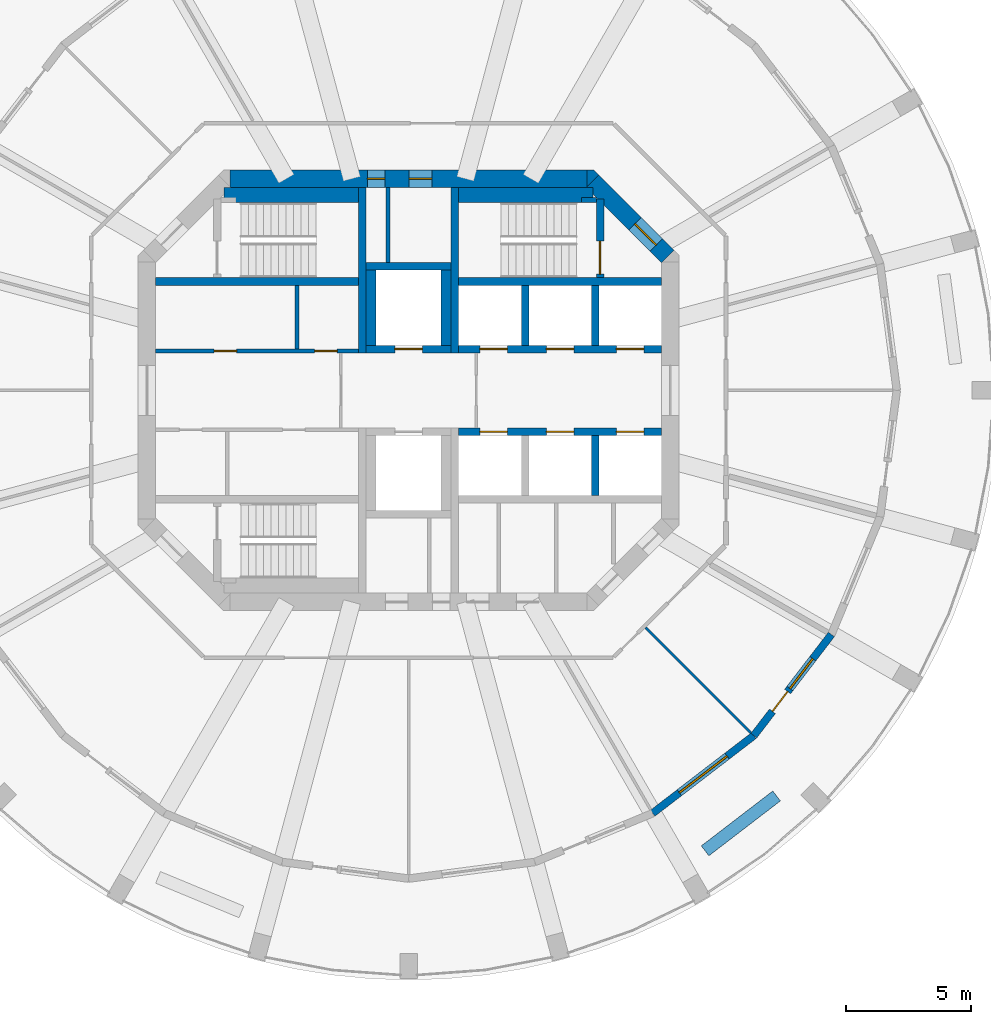
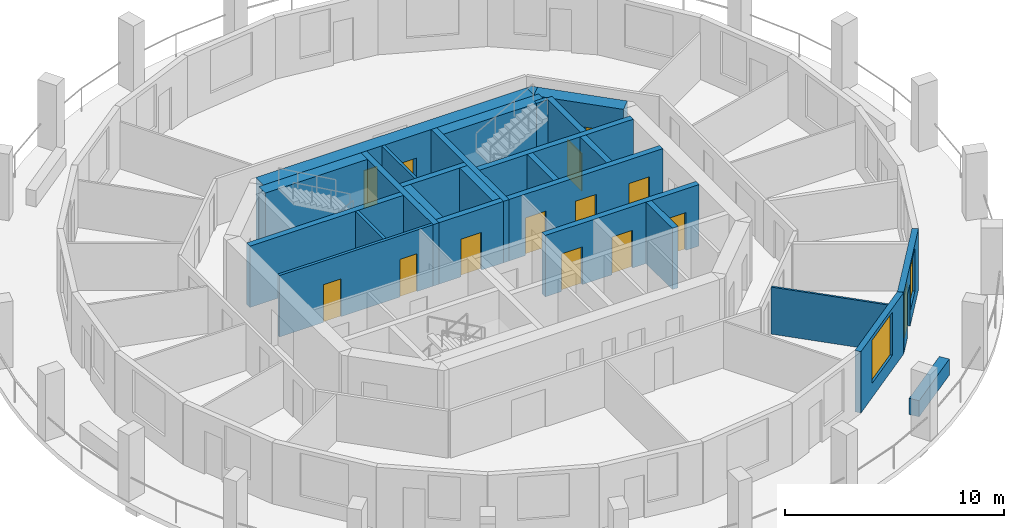
# One storey, part 4 of 8: 27 walls, 14 doors, 2 windows, 16 openings.
"""IFC4 building model written with IfcOpenShell, lengths in metres."""

import ifcopenshell
import ifcopenshell.guid

model = None  # the IFC model being written
_history = None  # IfcOwnerHistory: only IFC2X3 demands one
_inside = {}  # id of a spatial element -> (the spatial element, [elements in it])
_under = {}  # id of a project, library or spatial element -> (it, [spatial elements below it])
_declared = {}  # id of a project -> (the project, [libraries it declares])
_typed = {}  # id of a type object -> (the type object, [elements of that type])
_made_of = {}  # id of a material, layer set ... -> (it, [elements and type objects made of it])


def new_model(schema):
    """Start an empty IFC model of exactly this schema.

    Asked for "IFC4X3", IfcOpenShell would pick the latest addendum, in which some entities
    have other attributes; the version numbers below select the first issue.
    IFC2X3 requires an IfcOwnerHistory on every rooted entity: one is made here for all.
    """
    global model, _history
    if schema == "IFC4X3":
        model = ifcopenshell.file(schema_version=(4, 3, 0, 0))
    else:
        model = ifcopenshell.file(schema=schema)
    _inside.clear()
    _under.clear()
    _declared.clear()
    _typed.clear()
    _made_of.clear()
    _history = None
    if model.schema == "IFC2X3":
        org = make("IfcOrganization", Name="unknown")
        user = make(
            "IfcPersonAndOrganization",
            ThePerson=make("IfcPerson", FamilyName="unknown"),
            TheOrganization=org,
        )
        app = make(
            "IfcApplication",
            ApplicationDeveloper=org,
            Version="unknown",
            ApplicationFullName="unknown",
            ApplicationIdentifier="unknown",
        )
        _history = make(
            "IfcOwnerHistory",
            OwningUser=user,
            OwningApplication=app,
            ChangeAction="ADDED",
            CreationDate=0,
        )
    return model


def make(cls, **values):
    """One entity of the class cls with the attributes given. An attribute that is None is left unset."""
    return model.create_entity(
        cls, **{name: value for name, value in values.items() if value is not None}
    )


def rooted(cls, **values):
    """An entity with a GlobalId (a new one), such as an element, a storey or a relation."""
    return make(cls, GlobalId=ifcopenshell.guid.new(), OwnerHistory=_history, **values)


def si_unit(unit_type, name, prefix=None):
    """IfcSIUnit, for example si_unit("LENGTHUNIT", "METRE", prefix="MILLI")."""
    return make("IfcSIUnit", UnitType=unit_type, Prefix=prefix, Name=name)


def assignment(units):
    """IfcUnitAssignment: the units of a project."""
    return None if units is None else make("IfcUnitAssignment", Units=units)


def point(xyz):
    """IfcCartesianPoint."""
    return None if xyz is None else make("IfcCartesianPoint", Coordinates=xyz)


def direction(xyz):
    """IfcDirection."""
    return None if xyz is None else make("IfcDirection", DirectionRatios=xyz)


def frame(location, z_axis=None, x_axis=None):
    """IfcAxis2Placement3D, a coordinate frame: its origin and axes. An axis left out is left unset."""
    return make(
        "IfcAxis2Placement3D",
        Location=point(location),
        Axis=direction(z_axis),
        RefDirection=direction(x_axis),
    )


def frame_2d(location, x_axis=None):
    """IfcAxis2Placement2D, a coordinate frame in the plane: its origin and x axis."""
    return make(
        "IfcAxis2Placement2D", Location=point(location), RefDirection=direction(x_axis)
    )


def origin():
    """The frame at (0, 0, 0) with its axes left unset."""
    return frame((0.0, 0.0, 0.0))


def place(relative_to, where):
    """IfcLocalPlacement: puts the frame where relative to a parent placement (None: the world)."""
    return make(
        "IfcLocalPlacement", PlacementRelTo=relative_to, RelativePlacement=where
    )


def context(
    kind, dimensions, precision=None, world=None, true_north=None, identifier=None
):
    """IfcGeometricRepresentationContext, for example the 3D "Model" context."""
    return make(
        "IfcGeometricRepresentationContext",
        ContextIdentifier=identifier,
        ContextType=kind,
        CoordinateSpaceDimension=dimensions,
        Precision=precision,
        WorldCoordinateSystem=world,
        TrueNorth=true_north,
    )


def subcontext(parent, identifier, kind, view, scale=None):
    """IfcGeometricRepresentationSubContext, for example "Body" below "Model"."""
    return make(
        "IfcGeometricRepresentationSubContext",
        ContextIdentifier=identifier,
        ContextType=kind,
        ParentContext=parent,
        TargetScale=scale,
        TargetView=view,
    )


def project(units=None, contexts=None):
    """IfcProject with its units and contexts."""
    return rooted(
        "IfcProject",
        Name="project",
        RepresentationContexts=contexts,
        UnitsInContext=assignment(units),
    )


def spatial(cls, under=None, at=None, **own):
    """A site, building, storey or space (cls), placed at a placement, below another one or the project."""
    s = rooted(cls, ObjectPlacement=at, **own)
    if under is not None:
        _under.setdefault(under.id(), (under, []))[1].append(s)
    return s


def polyline(points):
    """IfcPolyline through the points."""
    return make("IfcPolyline", Points=[point(p) for p in points])


def profile(cls, at=None, kind="AREA", **sizes):
    """A parametric profile (cls). Its sizes go by their IFC names, for example OverallWidth=200.0."""
    return make(cls, ProfileType=kind, Position=at, **sizes)


def rectangle(**sizes):
    """IfcRectangleProfileDef."""
    return profile("IfcRectangleProfileDef", **sizes)


def outline(outer, holes=None, kind="AREA"):
    """IfcArbitraryClosedProfileDef: a profile drawn as a closed curve; with holes, ...WithVoids."""
    if holes is None:
        return make("IfcArbitraryClosedProfileDef", ProfileType=kind, OuterCurve=outer)
    return make(
        "IfcArbitraryProfileDefWithVoids",
        ProfileType=kind,
        OuterCurve=outer,
        InnerCurves=holes,
    )


def extrude(swept, where, along, depth):
    """IfcExtrudedAreaSolid: the profile swept, set in the frame where, extruded along a direction by depth."""
    return make(
        "IfcExtrudedAreaSolid",
        SweptArea=swept,
        Position=where,
        ExtrudedDirection=direction(along),
        Depth=depth,
    )


def shape(context_of_items, identifier, shape_type, items):
    """IfcShapeRepresentation: the items that make up one representation, for example the "Body"."""
    return make(
        "IfcShapeRepresentation",
        ContextOfItems=context_of_items,
        RepresentationIdentifier=identifier,
        RepresentationType=shape_type,
        Items=items,
    )


def material(Name=None, Category=None):
    """IfcMaterial."""
    return make("IfcMaterial", Name=Name, Category=Category)


def layer(
    of_material, thickness, ventilated=None, Name=None, Category=None, Priority=None
):
    """IfcMaterialLayer: one layer of a wall or slab, of a material (None: an air gap)."""
    return make(
        "IfcMaterialLayer",
        Material=of_material,
        LayerThickness=thickness,
        IsVentilated=ventilated,
        Name=Name,
        Category=Category,
        Priority=Priority,
    )


def layer_set(layers, Name=None):
    """IfcMaterialLayerSet."""
    return make("IfcMaterialLayerSet", MaterialLayers=layers, LayerSetName=Name)


def made_of(thing, what):
    """Note that an element or type object is made of a material, layer set ...; save() writes the relation."""
    if what is not None:
        _made_of.setdefault(what.id(), (what, []))[1].append(thing)
    return thing


def type_object(cls, material=None, **own):
    """A type object (cls), such as IfcWallType, which elements share."""
    return made_of(rooted(cls, **own), material)


def element(
    cls,
    number,
    at=None,
    inside=None,
    cuts=None,
    type_object=None,
    material=None,
    context=None,
    identifier="Body",
    shape_type=None,
    held_by="IfcProductDefinitionShape",
    body=None,
    shapes=None,
    **own,
):
    """One element of the class cls, such as IfcWall. Its Tag is "e" and its number.

    at: its placement. inside: the storey or other place that contains it. cuts: it is an
    opening in that element (IfcRelVoidsElement). A single representation is given by context,
    identifier, shape_type and body (its items); several are given by shapes. held_by: the class
    of the entity that holds the representations. save() writes the other relations.
    """
    e = rooted(cls, Tag="e%d" % number, ObjectPlacement=at, **own)
    if body is not None:
        shapes = [shape(context, identifier, shape_type, body)]
    if shapes is not None:
        e.Representation = make(held_by, Representations=shapes)
    if inside is not None:
        _inside.setdefault(inside.id(), (inside, []))[1].append(e)
    if cuts is not None:
        rooted(
            "IfcRelVoidsElement", RelatingBuildingElement=cuts, RelatedOpeningElement=e
        )
    if type_object is not None:
        _typed.setdefault(type_object.id(), (type_object, []))[1].append(e)
    return made_of(e, material)


def fill(opening, filler):
    """IfcRelFillsElement: the door or window that sits in an opening."""
    return rooted(
        "IfcRelFillsElement",
        RelatingOpeningElement=opening,
        RelatedBuildingElement=filler,
    )


def aggregate(whole, parts):
    """IfcRelAggregates: a whole, such as a stair, and the parts it consists of."""
    return rooted("IfcRelAggregates", RelatingObject=whole, RelatedObjects=parts)


def save(model, path):
    """Write the relations noted so far, then the file.

    IfcRelAggregates (storeys below a building ...), IfcRelContainedInSpatialStructure (elements
    in a storey), IfcRelDefinesByType, IfcRelAssociatesMaterial and IfcRelDeclares: one each for
    every whole, place, type object, material and project.
    """
    for whole, parts in _under.values():
        aggregate(whole, parts)
    for where, things in _inside.values():
        rooted(
            "IfcRelContainedInSpatialStructure",
            RelatedElements=things,
            RelatingStructure=where,
        )
    for kind, things in _typed.values():
        rooted("IfcRelDefinesByType", RelatedObjects=things, RelatingType=kind)
    for what, things in _made_of.values():
        rooted("IfcRelAssociatesMaterial", RelatedObjects=things, RelatingMaterial=what)
    for by, libraries in _declared.values():
        rooted("IfcRelDeclares", RelatingContext=by, RelatedDefinitions=libraries)
    model.write(path)


model = new_model("IFC4")

# Units and contexts
model_context = context("Model", 3, precision=1e-05, world=origin(), true_north=direction((0.0, 1.0)))
body_context = subcontext(model_context, "Body", "Model", "MODEL_VIEW")
ifc_project = project(units=[si_unit("LENGTHUNIT", "METRE"), si_unit("AREAUNIT", "SQUARE_METRE"), si_unit("VOLUMEUNIT", "CUBIC_METRE"), si_unit("PLANEANGLEUNIT", "RADIAN"), si_unit("MASSUNIT", "GRAM", prefix="KILO")], contexts=[model_context])

# Site, building, storey
site_placement = place(None, origin())
site = spatial("IfcSite", under=ifc_project, at=site_placement, CompositionType="ELEMENT")
building_placement = place(site_placement, origin())
building = spatial("IfcBuilding", under=site, at=building_placement, Name="Torre Triforio", CompositionType="ELEMENT")
storey_placement = place(building_placement, frame((0.0, 0.0, 192.800048828125)))
storey = spatial("IfcBuildingStorey", under=building, at=storey_placement, Name="L43", CompositionType="ELEMENT", Elevation=192.800048828125)

# Walls
ifc_material_1 = material(Name="Concrete C50", Category="concrete")
ifc_layer_1 = layer(ifc_material_1, 0.300048828125)
ifc_layer_set_1 = layer_set([ifc_layer_1], Name="Concrete C50")
wall_type_1 = type_object("IfcWallType", Name="Core wall 300 mm C50 EI 120", PredefinedType="SHEAR", material=ifc_layer_set_1)
for number, where, z_axis, x_axis, name in (
    (1, (-1.85009765625, 1.5, 0.0), (0.0, 0.0, 1.0), (0.0, 1.0, 0.0), "Core wall"),
    (2, (1.85009765625, 1.5, 0.0), (0.0, 0.0, 1.0), (0.0, 1.0, 0.0), "Core wall"),
):
    element("IfcWall", number, at=place(storey_placement, frame(where, z_axis=z_axis, x_axis=x_axis)), inside=storey, type_object=wall_type_1, Name=name, PredefinedType="SHEAR", context=body_context, shape_type="SweptSolid", body=[
        extrude(rectangle(XDim=6.60009765625, YDim=0.300048828125, at=frame_2d((3.300048828125, 0.0))), origin(), (0.0, 0.0, 1.0), 3.419921875),
    ])

# Wall, openings, doors
ifc_layer_2 = layer(ifc_material_1, 0.699951171875)
ifc_layer_set_2 = layer_set([ifc_layer_2], Name="Concrete C50")
wall_type_2 = type_object("IfcWallType", Name="Core wall 700 mm C50 EI 120", PredefinedType="SHEAR", material=ifc_layer_set_2)
wall_1_placement = place(storey_placement, frame((-7.1298828125, 8.449951171875, -0.280029296875), z_axis=(0.0, 0.0, 1.0), x_axis=(1.0, 0.0, 0.0)))
wall_1 = element("IfcWall", 3, at=wall_1_placement, inside=storey, type_object=wall_type_2, Name="Core wall", PredefinedType="SHEAR", context=body_context, shape_type="SweptSolid", body=[
    extrude(rectangle(XDim=14.259765625, YDim=0.699951171875, at=frame_2d((7.1298828125, 0.0))), origin(), (0.0, 0.0, 1.0), 3.699951171875),
])
opening_1_placement = place(wall_1_placement, frame((5.47998046875, 0.0, 0.280029296875)))
opening_1 = element("IfcOpeningElement", 4, at=opening_1_placement, cuts=wall_1, Name="Opening RISER-N", PredefinedType="OPENING", context=body_context, shape_type="SweptSolid", body=[
    extrude(rectangle(XDim=0.699951171875, YDim=2.10009765625, at=frame_2d((0.35009765625, 1.050048828125))), frame((0.0, 0.35986328125, 0.0), z_axis=(0.0, -1.0, 0.0), x_axis=(1.0, 0.0, 0.0)), (0.0, 0.0, 1.0), 0.719970703125),
])
opening_2_placement = place(wall_1_placement, frame((7.155029296875, 0.0, 0.280029296875)))
opening_2 = element("IfcOpeningElement", 5, at=opening_2_placement, cuts=wall_1, Name="Opening NE-01", PredefinedType="OPENING", context=body_context, shape_type="SweptSolid", body=[
    extrude(rectangle(XDim=0.89990234375, YDim=2.10009765625, at=frame_2d((0.449951171875, 1.050048828125))), frame((0.0, 0.35986328125, 0.0), z_axis=(0.0, -1.0, 0.0), x_axis=(1.0, 0.0, 0.0)), (0.0, 0.0, 1.0), 0.719970703125),
])
ifc_material_2 = material(Name="Hollow metal fire door leaf")
door_type_1 = type_object("IfcDoorType", Name="Riser door 700 x 2100 EI 60", OperationType="NOTDEFINED", PredefinedType="DOOR", material=ifc_material_2)
door_1_placement = place(opening_1_placement, origin())
door_1 = element("IfcDoor", 6, at=door_1_placement, inside=storey, type_object=door_type_1, Name="Core door RISER-N", OperationType="SINGLE_SWING_LEFT", OverallHeight=2.10009765625, OverallWidth=0.699951171875, PredefinedType="DOOR", context=body_context, shape_type="SweptSolid", body=[
    extrude(rectangle(XDim=0.699951171875, YDim=2.10009765625, at=frame_2d((0.35009765625, 1.050048828125))), frame((0.0, 0.02490234375, 0.0), z_axis=(0.0, -1.0, 0.0), x_axis=(1.0, 0.0, 0.0)), (0.0, 0.0, 1.0), 0.050048828125),
])
fill(opening_1, door_1)
door_type_2 = type_object("IfcDoorType", Name="Room door 900 x 2100 EI 60", OperationType="NOTDEFINED", PredefinedType="DOOR", material=ifc_material_2)
door_2_placement = place(opening_2_placement, origin())
door_2 = element("IfcDoor", 7, at=door_2_placement, inside=storey, type_object=door_type_2, Name="Core door NE-01", OperationType="SINGLE_SWING_RIGHT", OverallHeight=2.10009765625, OverallWidth=0.89990234375, PredefinedType="DOOR", context=body_context, shape_type="SweptSolid", body=[
    extrude(rectangle(XDim=0.89990234375, YDim=2.10009765625, at=frame_2d((0.449951171875, 1.050048828125))), frame((0.0, 0.02490234375, 0.0), z_axis=(0.0, -1.0, 0.0), x_axis=(1.0, 0.0, 0.0)), (0.0, 0.0, 1.0), 0.050048828125),
])
fill(opening_2, door_2)

# Wall, opening, door
wall_2_placement = place(storey_placement, frame((7.347412109375, 8.347412109375, -0.280029296875), z_axis=(0.0, 0.0, 1.0), x_axis=(0.707106781187, -0.707106781187, 0.0)))
wall_2 = element("IfcWall", 8, at=wall_2_placement, inside=storey, type_object=wall_type_2, Name="Core wall", PredefinedType="SHEAR", context=body_context, shape_type="SweptSolid", body=[
    extrude(rectangle(XDim=4.24267578125, YDim=0.699951171875, at=frame_2d((2.121337890625, 0.0))), origin(), (0.0, 0.0, 1.0), 3.699951171875),
])
opening_3_placement = place(wall_2_placement, frame((2.392578125, 0.0, 0.280029296875)))
opening_3 = element("IfcOpeningElement", 9, at=opening_3_placement, cuts=wall_2, Name="Opening ST2-EXIT", PredefinedType="OPENING", context=body_context, shape_type="SweptSolid", body=[
    extrude(rectangle(XDim=1.199951171875, YDim=2.10009765625, at=frame_2d((0.60009765625, 1.050048828125))), frame((0.0, 0.35986328125, 0.0), z_axis=(0.0, -1.0, 0.0), x_axis=(1.0, 0.0, 0.0)), (0.0, 0.0, 1.0), 0.719970703125),
])
door_type_3 = type_object("IfcDoorType", Name="Stair lobby door 1200 x 2100 EI 60", OperationType="NOTDEFINED", PredefinedType="DOOR", material=ifc_material_2)
door_3_placement = place(opening_3_placement, origin())
door_3 = element("IfcDoor", 10, at=door_3_placement, inside=storey, type_object=door_type_3, Name="Core door ST2-EXIT", OperationType="SINGLE_SWING_RIGHT", OverallHeight=2.10009765625, OverallWidth=1.199951171875, PredefinedType="DOOR", context=body_context, shape_type="SweptSolid", body=[
    extrude(rectangle(XDim=1.199951171875, YDim=2.10009765625, at=frame_2d((0.60009765625, 1.050048828125))), frame((0.0, 0.02490234375, 0.0), z_axis=(0.0, -1.0, 0.0), x_axis=(1.0, 0.0, 0.0)), (0.0, 0.0, 1.0), 0.050048828125),
])
fill(opening_3, door_3)

# Walls
wall_3_placement = place(storey_placement, frame((0.0, 0.0, -0.280029296875)))
element("IfcWall", 11, at=wall_3_placement, inside=storey, type_object=wall_type_2, Name="Core wall", PredefinedType="SHEAR", context=body_context, shape_type="SweptSolid", body=[
    extrude(outline(polyline([(7.389892578125, 8.800048828125), (7.594970703125, 8.594970703125), (7.594970703125, 8.594970703125), (7.594970703125, 8.594970703125), (7.1298828125, 8.1298828125), (7.1298828125, 8.800048828125), (7.1298828125, 8.800048828125), (7.389892578125, 8.800048828125)])), origin(), (0.0, 0.0, 1.0), 3.699951171875),
])
ifc_material_3 = material(Name="Plasterboard on metal studs")
ifc_layer_3 = layer(ifc_material_3, 0.10009765625)
ifc_layer_set_3 = layer_set([ifc_layer_3], Name="Plasterboard on metal studs")
wall_type_3 = type_object("IfcWallType", Name="Partition 100 mm board on metal studs", PredefinedType="PARTITIONING", material=ifc_layer_set_3)
wall_4_placement = place(storey_placement, frame((9.473876953125, -9.473876953125, 0.0), z_axis=(0.0, 0.0, 1.0), x_axis=(0.707106781187, -0.707106781187, 0.0)))
element("IfcWall", 12, at=wall_4_placement, inside=storey, type_object=wall_type_3, Name="Partition 23", PredefinedType="PARTITIONING", context=body_context, shape_type="SweptSolid", body=[
    extrude(rectangle(XDim=5.9384765625, YDim=0.10009765625, at=frame_2d((2.96923828125, 0.0))), origin(), (0.0, 0.0, 1.0), 2.619873046875),
])
ifc_material_4 = material(Name="Block and board partition")
ifc_layer_4 = layer(ifc_material_4, 0.14990234375)
ifc_layer_set_4 = layer_set([ifc_layer_4], Name="Block and board partition")
wall_type_4 = type_object("IfcWallType", Name="Partition 150 mm", PredefinedType="PARTITIONING", material=ifc_layer_set_4)
wall_5_placement = place(storey_placement, frame((-4.4599609375, 1.64990234375, 0.0), z_axis=(0.0, 0.0, 1.0), x_axis=(0.0, 1.0, 0.0)))
element("IfcWall", 13, at=wall_5_placement, inside=storey, type_object=wall_type_4, Name="Partition", PredefinedType="PARTITIONING", context=body_context, shape_type="SweptSolid", body=[
    extrude(rectangle(XDim=2.550048828125, YDim=0.14990234375, at=frame_2d((1.27490234375, 0.0))), origin(), (0.0, 0.0, 1.0), 3.419921875),
])
ifc_layer_5 = layer(ifc_material_4, 0.14990234375)
ifc_layer_set_5 = layer_set([ifc_layer_5], Name="Block and board partition")
wall_type_5 = type_object("IfcWallType", Name="Partition 150 mm EI 120", PredefinedType="PARTITIONING", material=ifc_layer_set_5)
wall_6_placement = place(storey_placement, frame((-0.824951171875, 5.10009765625, 0.0), z_axis=(0.0, 0.0, 1.0), x_axis=(0.0, 1.0, 0.0)))
element("IfcWall", 14, at=wall_6_placement, inside=storey, type_object=wall_type_5, Name="Partition", PredefinedType="PARTITIONING", context=body_context, shape_type="SweptSolid", body=[
    extrude(rectangle(XDim=3.0, YDim=0.14990234375, at=frame_2d((1.5, 0.0))), origin(), (0.0, 0.0, 1.0), 3.419921875),
])

# Wall, openings, doors
wall_7_placement = place(storey_placement, frame((-10.10009765625, 1.574951171875, 0.0), z_axis=(0.0, 0.0, 1.0), x_axis=(1.0, 0.0, 0.0)))
wall_7 = element("IfcWall", 15, at=wall_7_placement, inside=storey, type_object=wall_type_5, Name="Partition", PredefinedType="PARTITIONING", context=body_context, shape_type="SweptSolid", body=[
    extrude(rectangle(XDim=8.10009765625, YDim=0.14990234375, at=frame_2d((4.050048828125, 0.0))), origin(), (0.0, 0.0, 1.0), 3.419921875),
])
opening_4_placement = place(wall_7_placement, frame((2.33251953125, 0.0, 0.0)))
opening_4 = element("IfcOpeningElement", 16, at=opening_4_placement, cuts=wall_7, Name="Opening FN-01", PredefinedType="OPENING", context=body_context, shape_type="SweptSolid", body=[
    extrude(rectangle(XDim=0.89990234375, YDim=2.10009765625, at=frame_2d((0.449951171875, 1.050048828125))), frame((0.0, 0.0849609375, 0.0), z_axis=(0.0, -1.0, 0.0), x_axis=(1.0, 0.0, 0.0)), (0.0, 0.0, 1.0), 0.169921875),
])
opening_5_placement = place(wall_7_placement, frame((6.35009765625, 0.0, 0.0)))
opening_5 = element("IfcOpeningElement", 17, at=opening_5_placement, cuts=wall_7, Name="Opening FN-02A", PredefinedType="OPENING", context=body_context, shape_type="SweptSolid", body=[
    extrude(rectangle(XDim=0.89990234375, YDim=2.10009765625, at=frame_2d((0.449951171875, 1.050048828125))), frame((0.0, 0.0849609375, 0.0), z_axis=(0.0, -1.0, 0.0), x_axis=(1.0, 0.0, 0.0)), (0.0, 0.0, 1.0), 0.169921875),
])
door_type_4 = type_object("IfcDoorType", Name="Plant room door 900 x 2100 EI 60", OperationType="NOTDEFINED", PredefinedType="DOOR", material=ifc_material_2)
door_4_placement = place(opening_5_placement, origin())
door_4 = element("IfcDoor", 18, at=door_4_placement, inside=storey, type_object=door_type_4, Name="Core door FN-02", OperationType="SINGLE_SWING_RIGHT", OverallHeight=2.10009765625, OverallWidth=0.89990234375, PredefinedType="DOOR", context=body_context, shape_type="SweptSolid", body=[
    extrude(rectangle(XDim=0.89990234375, YDim=2.10009765625, at=frame_2d((0.449951171875, 1.050048828125))), frame((0.0, 0.02490234375, 0.0), z_axis=(0.0, -1.0, 0.0), x_axis=(1.0, 0.0, 0.0)), (0.0, 0.0, 1.0), 0.050048828125),
])
fill(opening_5, door_4)
door_5_placement = place(opening_4_placement, origin())
door_5 = element("IfcDoor", 19, at=door_5_placement, inside=storey, type_object=door_type_2, Name="Core door FN-01", OperationType="SINGLE_SWING_RIGHT", OverallHeight=2.10009765625, OverallWidth=0.89990234375, PredefinedType="DOOR", context=body_context, shape_type="SweptSolid", body=[
    extrude(rectangle(XDim=0.89990234375, YDim=2.10009765625, at=frame_2d((0.449951171875, 1.050048828125))), frame((0.0, 0.02490234375, 0.0), z_axis=(0.0, -1.0, 0.0), x_axis=(1.0, 0.0, 0.0)), (0.0, 0.0, 1.0), 0.050048828125),
])
fill(opening_4, door_5)

# Walls
ifc_material_5 = material(Name="Limestone cladding", Category="masonry")
ifc_layer_6 = layer(ifc_material_5, 0.10009765625)
ifc_material_6 = material(Name="Concrete C40", Category="concrete")
ifc_layer_7 = layer(ifc_material_6, 0.39990234375)
ifc_layer_set_6 = layer_set([ifc_layer_6, ifc_layer_7], Name="Limestone cladding / Concrete C40")
wall_type_6 = type_object("IfcWallType", Name="Planter wall 500", PredefinedType="PARAPET", material=ifc_layer_set_6)
wall_8_placement = place(storey_placement, frame((11.843017578125, -18.390869140625, 0.0), z_axis=(0.0, 0.0, 1.0), x_axis=(0.793326845617, 0.608795955984, 0.0)))
element("IfcWall", 20, at=wall_8_placement, inside=storey, type_object=wall_type_6, Name="Planter L43 bay 21", PredefinedType="PARAPET", context=body_context, shape_type="SweptSolid", body=[
    extrude(rectangle(XDim=3.599853515625, YDim=0.5, at=frame_2d((1.7998046875, 0.0))), origin(), (0.0, 0.0, 1.0), 0.89990234375),
])
ifc_layer_8 = layer(ifc_material_1, 0.300048828125)
ifc_layer_set_7 = layer_set([ifc_layer_8], Name="Concrete C50")
wall_type_7 = type_object("IfcWallType", Name="Shaft wall 300 mm C50 EI 120", PredefinedType="SOLIDWALL", material=ifc_layer_set_7)
for number, where, z_axis, x_axis, name in (
    (21, (-10.10009765625, 4.35009765625, 0.0), (0.0, 0.0, 1.0), (1.0, 0.0, 0.0), "Shaft wall"),
    (22, (2.0, 4.35009765625, 0.0), (0.0, 0.0, 1.0), (1.0, 0.0, 0.0), "Shaft wall"),
):
    element("IfcWall", number, at=place(storey_placement, frame(where, z_axis=z_axis, x_axis=x_axis)), inside=storey, type_object=wall_type_7, Name=name, PredefinedType="SOLIDWALL", context=body_context, shape_type="SweptSolid", body=[
        extrude(rectangle(XDim=8.10009765625, YDim=0.300048828125, at=frame_2d((4.050048828125, 0.0))), origin(), (0.0, 0.0, 1.0), 3.419921875),
    ])

# Wall, openings, doors
wall_9_placement = place(storey_placement, frame((2.0, 1.64990234375, 0.0), z_axis=(0.0, 0.0, 1.0), x_axis=(1.0, 0.0, 0.0)))
wall_9 = element("IfcWall", 23, at=wall_9_placement, inside=storey, type_object=wall_type_7, Name="Shaft wall", PredefinedType="SOLIDWALL", context=body_context, shape_type="SweptSolid", body=[
    extrude(rectangle(XDim=8.10009765625, YDim=0.300048828125, at=frame_2d((4.050048828125, 0.0))), origin(), (0.0, 0.0, 1.0), 3.419921875),
])
opening_6_placement = place(wall_9_placement, frame((0.85009765625, 0.0, 0.0)))
opening_6 = element("IfcOpeningElement", 24, at=opening_6_placement, cuts=wall_9, Name="Opening LD", PredefinedType="OPENING", context=body_context, shape_type="SweptSolid", body=[
    extrude(rectangle(XDim=1.10009765625, YDim=2.10009765625, at=frame_2d((0.550048828125, 1.050048828125))), frame((0.0, 0.159912109375, 0.0), z_axis=(0.0, -1.0, 0.0), x_axis=(1.0, 0.0, 0.0)), (0.0, 0.0, 1.0), 0.320068359375),
])
opening_7_placement = place(wall_9_placement, frame((3.5, 0.0, 0.0)))
opening_7 = element("IfcOpeningElement", 25, at=opening_7_placement, cuts=wall_9, Name="Opening LD", PredefinedType="OPENING", context=body_context, shape_type="SweptSolid", body=[
    extrude(rectangle(XDim=1.10009765625, YDim=2.10009765625, at=frame_2d((0.550048828125, 1.050048828125))), frame((0.0, 0.159912109375, 0.0), z_axis=(0.0, -1.0, 0.0), x_axis=(1.0, 0.0, 0.0)), (0.0, 0.0, 1.0), 0.320068359375),
])
opening_8_placement = place(wall_9_placement, frame((6.300048828125, 0.0, 0.0)))
opening_8 = element("IfcOpeningElement", 26, at=opening_8_placement, cuts=wall_9, Name="Opening LD", PredefinedType="OPENING", context=body_context, shape_type="SweptSolid", body=[
    extrude(rectangle(XDim=1.10009765625, YDim=2.10009765625, at=frame_2d((0.550048828125, 1.050048828125))), frame((0.0, 0.159912109375, 0.0), z_axis=(0.0, -1.0, 0.0), x_axis=(1.0, 0.0, 0.0)), (0.0, 0.0, 1.0), 0.320068359375),
])
door_type_5 = type_object("IfcDoorType", Name="Landing door 1100 x 2100 EI 60", OperationType="DOUBLE_DOOR_SLIDING", PredefinedType="DOOR", material=ifc_material_2)
door_6_placement = place(opening_6_placement, origin())
door_6 = element("IfcDoor", 27, at=door_6_placement, inside=storey, type_object=door_type_5, Name="Landing door HR1", OperationType="DOUBLE_DOOR_SLIDING", OverallHeight=2.10009765625, OverallWidth=1.10009765625, PredefinedType="DOOR", context=body_context, shape_type="SweptSolid", body=[
    extrude(rectangle(XDim=1.10009765625, YDim=2.10009765625, at=frame_2d((0.550048828125, 1.050048828125))), frame((0.0, 0.02490234375, 0.0), z_axis=(0.0, -1.0, 0.0), x_axis=(1.0, 0.0, 0.0)), (0.0, 0.0, 1.0), 0.050048828125),
])
fill(opening_6, door_6)
door_7_placement = place(opening_7_placement, origin())
door_7 = element("IfcDoor", 28, at=door_7_placement, inside=storey, type_object=door_type_5, Name="Landing door HR2", OperationType="DOUBLE_DOOR_SLIDING", OverallHeight=2.10009765625, OverallWidth=1.10009765625, PredefinedType="DOOR", context=body_context, shape_type="SweptSolid", body=[
    extrude(rectangle(XDim=1.10009765625, YDim=2.10009765625, at=frame_2d((0.550048828125, 1.050048828125))), frame((0.0, 0.02490234375, 0.0), z_axis=(0.0, -1.0, 0.0), x_axis=(1.0, 0.0, 0.0)), (0.0, 0.0, 1.0), 0.050048828125),
])
fill(opening_7, door_7)
door_8_placement = place(opening_8_placement, origin())
door_8 = element("IfcDoor", 29, at=door_8_placement, inside=storey, type_object=door_type_5, Name="Landing door HR3", OperationType="DOUBLE_DOOR_SLIDING", OverallHeight=2.10009765625, OverallWidth=1.10009765625, PredefinedType="DOOR", context=body_context, shape_type="SweptSolid", body=[
    extrude(rectangle(XDim=1.10009765625, YDim=2.10009765625, at=frame_2d((0.550048828125, 1.050048828125))), frame((0.0, 0.02490234375, 0.0), z_axis=(0.0, -1.0, 0.0), x_axis=(1.0, 0.0, 0.0)), (0.0, 0.0, 1.0), 0.050048828125),
])
fill(opening_8, door_8)

wall_10_placement = place(storey_placement, frame((2.0, -1.64990234375, 0.0), z_axis=(0.0, 0.0, 1.0), x_axis=(1.0, 0.0, 0.0)))
wall_10 = element("IfcWall", 30, at=wall_10_placement, inside=storey, type_object=wall_type_7, Name="Shaft wall", PredefinedType="SOLIDWALL", context=body_context, shape_type="SweptSolid", body=[
    extrude(rectangle(XDim=8.10009765625, YDim=0.300048828125, at=frame_2d((4.050048828125, 0.0))), origin(), (0.0, 0.0, 1.0), 3.419921875),
])
opening_9_placement = place(wall_10_placement, frame((0.85009765625, 0.0, 0.0)))
opening_9 = element("IfcOpeningElement", 31, at=opening_9_placement, cuts=wall_10, Name="Opening LD", PredefinedType="OPENING", context=body_context, shape_type="SweptSolid", body=[
    extrude(rectangle(XDim=1.10009765625, YDim=2.10009765625, at=frame_2d((0.550048828125, 1.050048828125))), frame((0.0, 0.159912109375, 0.0), z_axis=(0.0, -1.0, 0.0), x_axis=(1.0, 0.0, 0.0)), (0.0, 0.0, 1.0), 0.320068359375),
])
opening_10_placement = place(wall_10_placement, frame((3.5, 0.0, 0.0)))
opening_10 = element("IfcOpeningElement", 32, at=opening_10_placement, cuts=wall_10, Name="Opening LD", PredefinedType="OPENING", context=body_context, shape_type="SweptSolid", body=[
    extrude(rectangle(XDim=1.10009765625, YDim=2.10009765625, at=frame_2d((0.550048828125, 1.050048828125))), frame((0.0, 0.159912109375, 0.0), z_axis=(0.0, -1.0, 0.0), x_axis=(1.0, 0.0, 0.0)), (0.0, 0.0, 1.0), 0.320068359375),
])
opening_11_placement = place(wall_10_placement, frame((6.300048828125, 0.0, 0.0)))
opening_11 = element("IfcOpeningElement", 33, at=opening_11_placement, cuts=wall_10, Name="Opening LD", PredefinedType="OPENING", context=body_context, shape_type="SweptSolid", body=[
    extrude(rectangle(XDim=1.10009765625, YDim=2.10009765625, at=frame_2d((0.550048828125, 1.050048828125))), frame((0.0, 0.159912109375, 0.0), z_axis=(0.0, -1.0, 0.0), x_axis=(1.0, 0.0, 0.0)), (0.0, 0.0, 1.0), 0.320068359375),
])
door_9_placement = place(opening_9_placement, origin())
door_9 = element("IfcDoor", 34, at=door_9_placement, inside=storey, type_object=door_type_5, Name="Landing door HR4", OperationType="DOUBLE_DOOR_SLIDING", OverallHeight=2.10009765625, OverallWidth=1.10009765625, PredefinedType="DOOR", context=body_context, shape_type="SweptSolid", body=[
    extrude(rectangle(XDim=1.10009765625, YDim=2.10009765625, at=frame_2d((0.550048828125, 1.050048828125))), frame((0.0, 0.02490234375, 0.0), z_axis=(0.0, -1.0, 0.0), x_axis=(1.0, 0.0, 0.0)), (0.0, 0.0, 1.0), 0.050048828125),
])
fill(opening_9, door_9)
door_10_placement = place(opening_10_placement, origin())
door_10 = element("IfcDoor", 35, at=door_10_placement, inside=storey, type_object=door_type_5, Name="Landing door HR5", OperationType="DOUBLE_DOOR_SLIDING", OverallHeight=2.10009765625, OverallWidth=1.10009765625, PredefinedType="DOOR", context=body_context, shape_type="SweptSolid", body=[
    extrude(rectangle(XDim=1.10009765625, YDim=2.10009765625, at=frame_2d((0.550048828125, 1.050048828125))), frame((0.0, 0.02490234375, 0.0), z_axis=(0.0, -1.0, 0.0), x_axis=(1.0, 0.0, 0.0)), (0.0, 0.0, 1.0), 0.050048828125),
])
fill(opening_10, door_10)
door_11_placement = place(opening_11_placement, origin())
door_11 = element("IfcDoor", 36, at=door_11_placement, inside=storey, type_object=door_type_5, Name="Landing door HR6", OperationType="DOUBLE_DOOR_SLIDING", OverallHeight=2.10009765625, OverallWidth=1.10009765625, PredefinedType="DOOR", context=body_context, shape_type="SweptSolid", body=[
    extrude(rectangle(XDim=1.10009765625, YDim=2.10009765625, at=frame_2d((0.550048828125, 1.050048828125))), frame((0.0, 0.02490234375, 0.0), z_axis=(0.0, -1.0, 0.0), x_axis=(1.0, 0.0, 0.0)), (0.0, 0.0, 1.0), 0.050048828125),
])
fill(opening_11, door_11)

# Walls
for number, where, z_axis, x_axis, name in (
    (37, (4.64990234375, 1.800048828125, 0.0), (0.0, 0.0, 1.0), (0.0, 1.0, 0.0), "Shaft wall"),
    (38, (7.449951171875, 1.800048828125, 0.0), (0.0, 0.0, 1.0), (0.0, 1.0, 0.0), "Shaft wall"),
    (39, (7.449951171875, -4.199951171875, 0.0), (0.0, 0.0, 1.0), (0.0, 1.0, 0.0), "Shaft wall"),
):
    element("IfcWall", number, at=place(storey_placement, frame(where, z_axis=z_axis, x_axis=x_axis)), inside=storey, type_object=wall_type_7, Name=name, PredefinedType="SOLIDWALL", context=body_context, shape_type="SweptSolid", body=[
        extrude(rectangle(XDim=2.39990234375, YDim=0.300048828125, at=frame_2d((1.199951171875, 0.0))), origin(), (0.0, 0.0, 1.0), 3.419921875),
    ])

# Wall, opening, door
wall_11_placement = place(storey_placement, frame((-1.699951171875, 1.64990234375, 0.0), z_axis=(0.0, 0.0, 1.0), x_axis=(1.0, 0.0, 0.0)))
wall_11 = element("IfcWall", 40, at=wall_11_placement, inside=storey, type_object=wall_type_7, Name="Shaft wall", PredefinedType="SOLIDWALL", context=body_context, shape_type="SweptSolid", body=[
    extrude(rectangle(XDim=3.39990234375, YDim=0.300048828125, at=frame_2d((1.699951171875, 0.0))), origin(), (0.0, 0.0, 1.0), 3.419921875),
])
opening_12_placement = place(wall_11_placement, frame((1.14990234375, 0.0, 0.0)))
opening_12 = element("IfcOpeningElement", 41, at=opening_12_placement, cuts=wall_11, Name="Opening LD", PredefinedType="OPENING", context=body_context, shape_type="SweptSolid", body=[
    extrude(rectangle(XDim=1.10009765625, YDim=2.10009765625, at=frame_2d((0.550048828125, 1.050048828125))), frame((0.0, 0.159912109375, 0.0), z_axis=(0.0, -1.0, 0.0), x_axis=(1.0, 0.0, 0.0)), (0.0, 0.0, 1.0), 0.320068359375),
])
door_12_placement = place(opening_12_placement, origin())
door_12 = element("IfcDoor", 42, at=door_12_placement, inside=storey, type_object=door_type_5, Name="Landing door FFL1", OperationType="DOUBLE_DOOR_SLIDING", OverallHeight=2.10009765625, OverallWidth=1.10009765625, PredefinedType="DOOR", context=body_context, shape_type="SweptSolid", body=[
    extrude(rectangle(XDim=1.10009765625, YDim=2.10009765625, at=frame_2d((0.550048828125, 1.050048828125))), frame((0.0, 0.02490234375, 0.0), z_axis=(0.0, -1.0, 0.0), x_axis=(1.0, 0.0, 0.0)), (0.0, 0.0, 1.0), 0.050048828125),
])
fill(opening_12, door_12)

# Walls
wall_12_placement = place(storey_placement, frame((-1.699951171875, 4.949951171875, 0.0), z_axis=(0.0, 0.0, 1.0), x_axis=(1.0, 0.0, 0.0)))
element("IfcWall", 43, at=wall_12_placement, inside=storey, type_object=wall_type_7, Name="Shaft wall", PredefinedType="SOLIDWALL", context=body_context, shape_type="SweptSolid", body=[
    extrude(rectangle(XDim=3.39990234375, YDim=0.300048828125, at=frame_2d((1.699951171875, 0.0))), origin(), (0.0, 0.0, 1.0), 3.419921875),
])
ifc_layer_9 = layer(ifc_material_1, 0.39990234375)
ifc_layer_set_8 = layer_set([ifc_layer_9], Name="Concrete C50")
wall_type_8 = type_object("IfcWallType", Name="Shaft wall 400 mm C50 EI 120", PredefinedType="SOLIDWALL", material=ifc_layer_set_8)
for number, where, z_axis, x_axis, name in (
    (44, (-1.5, 1.800048828125, 0.0), (0.0, 0.0, 1.0), (0.0, 1.0, 0.0), "Shaft wall"),
    (45, (1.5, 1.800048828125, 0.0), (0.0, 0.0, 1.0), (0.0, 1.0, 0.0), "Shaft wall"),
):
    element("IfcWall", number, at=place(storey_placement, frame(where, z_axis=z_axis, x_axis=x_axis)), inside=storey, type_object=wall_type_8, Name=name, PredefinedType="SOLIDWALL", context=body_context, shape_type="SweptSolid", body=[
        extrude(rectangle(XDim=3.0, YDim=0.39990234375, at=frame_2d((1.5, 0.0))), origin(), (0.0, 0.0, 1.0), 3.419921875),
    ])
ifc_layer_10 = layer(ifc_material_1, 0.199951171875)
ifc_layer_set_9 = layer_set([ifc_layer_10], Name="Concrete C50")
wall_type_9 = type_object("IfcWallType", Name="Stair wall 200 mm C50 EI 120", PredefinedType="SHEAR", material=ifc_layer_set_9)
wall_13_placement = place(storey_placement, frame((6.89990234375, 7.60009765625, 0.0), z_axis=(0.0, 0.0, 1.0), x_axis=(1.0, 0.0, 0.0)))
element("IfcWall", 46, at=wall_13_placement, inside=storey, type_object=wall_type_9, Name="Stair wall", PredefinedType="SHEAR", context=body_context, shape_type="SweptSolid", body=[
    extrude(rectangle(XDim=0.60009765625, YDim=0.199951171875, at=frame_2d((0.300048828125, 0.0))), origin(), (0.0, 0.0, 1.0), 3.419921875),
])

# Wall, opening, door
ifc_layer_11 = layer(ifc_material_1, 0.300048828125)
ifc_layer_set_10 = layer_set([ifc_layer_11], Name="Concrete C50")
wall_type_10 = type_object("IfcWallType", Name="Stair wall 300 mm C50 EI 120", PredefinedType="SHEAR", material=ifc_layer_set_10)
wall_14_placement = place(storey_placement, frame((7.64990234375, 4.5, 0.0), z_axis=(0.0, 0.0, 1.0), x_axis=(0.0, 1.0, 0.0)))
wall_14 = element("IfcWall", 47, at=wall_14_placement, inside=storey, type_object=wall_type_10, Name="Stair wall", PredefinedType="SHEAR", context=body_context, shape_type="SweptSolid", body=[
    extrude(rectangle(XDim=3.139892578125, YDim=0.300048828125, at=frame_2d((1.56982421875, 0.0))), origin(), (0.0, 0.0, 1.0), 3.419921875),
])
opening_13_placement = place(wall_14_placement, frame((0.139892578125, 0.0, 0.0)))
opening_13 = element("IfcOpeningElement", 48, at=opening_13_placement, cuts=wall_14, Name="Opening ST2-STA", PredefinedType="OPENING", context=body_context, shape_type="SweptSolid", body=[
    extrude(rectangle(XDim=1.320068359375, YDim=2.10009765625, at=frame_2d((0.66015625, 1.050048828125))), frame((0.0, 0.159912109375, 0.0), z_axis=(0.0, -1.0, 0.0), x_axis=(1.0, 0.0, 0.0)), (0.0, 0.0, 1.0), 0.320068359375),
])
door_type_6 = type_object("IfcDoorType", Name="Stair door 1320 x 2100 EI 90", OperationType="DOUBLE_DOOR_SINGLE_SWING", PredefinedType="DOOR", material=ifc_material_2)
door_13_placement = place(opening_13_placement, origin())
door_13 = element("IfcDoor", 49, at=door_13_placement, inside=storey, type_object=door_type_6, Name="Core door ST2-ST", OperationType="DOUBLE_DOOR_SINGLE_SWING", OverallHeight=2.10009765625, OverallWidth=1.320068359375, PredefinedType="DOOR", context=body_context, shape_type="SweptSolid", body=[
    extrude(rectangle(XDim=1.320068359375, YDim=2.10009765625, at=frame_2d((0.66015625, 1.050048828125))), frame((0.0, 0.02490234375, 0.0), z_axis=(0.0, -1.0, 0.0), x_axis=(1.0, 0.0, 0.0)), (0.0, 0.0, 1.0), 0.050048828125),
])
fill(opening_13, door_13)

# Walls
ifc_layer_12 = layer(ifc_material_1, 0.60009765625)
ifc_layer_set_11 = layer_set([ifc_layer_12], Name="Concrete C50")
wall_type_11 = type_object("IfcWallType", Name="Stair wall 600 mm C50 EI 120", PredefinedType="SHEAR", material=ifc_layer_set_11)
for number, where, z_axis, x_axis, name in (
    (50, (-7.3701171875, 7.800048828125, 0.0), (0.0, 0.0, 1.0), (1.0, 0.0, 0.0), "Stair wall"),
    (51, (2.0, 7.800048828125, 0.0), (0.0, 0.0, 1.0), (1.0, 0.0, 0.0), "Stair wall"),
):
    element("IfcWall", number, at=place(storey_placement, frame(where, z_axis=z_axis, x_axis=x_axis)), inside=storey, type_object=wall_type_11, Name=name, PredefinedType="SHEAR", context=body_context, shape_type="SweptSolid", body=[
        extrude(rectangle(XDim=5.3701171875, YDim=0.60009765625, at=frame_2d((2.68505859375, 0.0))), origin(), (0.0, 0.0, 1.0), 3.419921875),
    ])

# Wall, opening, window
ifc_layer_13 = layer(ifc_material_5, 0.10009765625)
ifc_layer_14 = layer(ifc_material_6, 0.199951171875)
ifc_layer_set_12 = layer_set([ifc_layer_13, ifc_layer_14], Name="Limestone cladding / Concrete C40")
wall_type_12 = type_object("IfcWallType", Name="Stone-faced composite wall 300", PredefinedType="STANDARD", material=ifc_layer_set_12)
wall_15_placement = place(storey_placement, frame((9.75, -16.887451171875, 0.0), z_axis=(0.0, 0.0, 1.0), x_axis=(0.79335619014, 0.608757714995, 0.0)))
wall_15 = element("IfcWall", 52, at=wall_15_placement, inside=storey, type_object=wall_type_12, Name="External wall L43 bay 21", PredefinedType="STANDARD", context=body_context, shape_type="SweptSolid", body=[
    extrude(rectangle(XDim=5.090576171875, YDim=0.300048828125, at=frame_2d((2.54541015625, 0.0))), origin(), (0.0, 0.0, 1.0), 3.419921875),
])
opening_14_placement = place(wall_15_placement, frame((1.34521484375, 0.0, 0.800048828125)))
opening_14 = element("IfcOpeningElement", 53, at=opening_14_placement, cuts=wall_15, Name="Opening O4-W21", PredefinedType="OPENING", context=body_context, shape_type="SweptSolid", body=[
    extrude(rectangle(XDim=2.39990234375, YDim=2.39990234375, at=frame_2d((1.199951171875, 1.199951171875))), frame((0.0, 0.159912109375, 0.0), z_axis=(0.0, -1.0, 0.0), x_axis=(1.0, 0.0, 0.0)), (0.0, 0.0, 1.0), 0.320068359375),
])
ifc_material_7 = material(Name="Aluminium frame with clear double glazing", Category="aluminium")
window_type_1 = type_object("IfcWindowType", Name="Punched window 2400 x 2400", PartitioningType="DOUBLE_PANEL_VERTICAL", PredefinedType="WINDOW", material=ifc_material_7)
window_1_placement = place(opening_14_placement, origin())
window_1 = element("IfcWindow", 54, at=window_1_placement, inside=storey, type_object=window_type_1, Name="Window EWN4 L43 bay 21", OverallHeight=2.39990234375, OverallWidth=2.39990234375, PartitioningType="SINGLE_PANEL", PredefinedType="WINDOW", context=body_context, shape_type="SweptSolid", body=[
    extrude(rectangle(XDim=2.39990234375, YDim=2.39990234375, at=frame_2d((1.199951171875, 1.199951171875))), frame((0.0, 0.030029296875, 0.0), z_axis=(0.0, -1.0, 0.0), x_axis=(1.0, 0.0, 0.0)), (0.0, 0.0, 1.0), 0.06005859375),
])
fill(opening_14, window_1)

# Wall, openings, door, window
wall_16_placement = place(storey_placement, frame((13.78857421875, -13.78857421875, 0.0), z_axis=(0.0, 0.0, 1.0), x_axis=(0.608757714995, 0.79335619014, 0.0)))
wall_16 = element("IfcWall", 55, at=wall_16_placement, inside=storey, type_object=wall_type_12, Name="External wall L43 bay 22", PredefinedType="STANDARD", context=body_context, shape_type="SweptSolid", body=[
    extrude(rectangle(XDim=5.090576171875, YDim=0.300048828125, at=frame_2d((2.54541015625, 0.0))), origin(), (0.0, 0.0, 1.0), 3.419921875),
])
opening_15_placement = place(wall_16_placement, frame((1.22021484375, 0.0, 0.0)))
opening_15 = element("IfcOpeningElement", 56, at=opening_15_placement, cuts=wall_16, Name="Opening O4-D22", PredefinedType="OPENING", context=body_context, shape_type="SweptSolid", body=[
    extrude(rectangle(XDim=1.0, YDim=2.39990234375, at=frame_2d((0.5, 1.199951171875))), frame((0.0, 0.159912109375, 0.0), z_axis=(0.0, -1.0, 0.0), x_axis=(1.0, 0.0, 0.0)), (0.0, 0.0, 1.0), 0.320068359375),
])
opening_16_placement = place(wall_16_placement, frame((2.370361328125, 0.0, 0.800048828125)))
opening_16 = element("IfcOpeningElement", 57, at=opening_16_placement, cuts=wall_16, Name="Opening O4-W22A", PredefinedType="OPENING", context=body_context, shape_type="SweptSolid", body=[
    extrude(rectangle(XDim=1.5, YDim=2.39990234375, at=frame_2d((0.75, 1.199951171875))), frame((0.0, 0.159912109375, 0.0), z_axis=(0.0, -1.0, 0.0), x_axis=(1.0, 0.0, 0.0)), (0.0, 0.0, 1.0), 0.320068359375),
])
door_type_7 = type_object("IfcDoorType", Name="Loggia door 1000 x 2400", OperationType="NOTDEFINED", PredefinedType="DOOR", material=ifc_material_7)
door_14_placement = place(opening_15_placement, origin())
door_14 = element("IfcDoor", 58, at=door_14_placement, inside=storey, type_object=door_type_7, Name="Loggia door L43 bay 22", OperationType="SINGLE_SWING_LEFT", OverallHeight=2.39990234375, OverallWidth=1.0, PredefinedType="DOOR", context=body_context, shape_type="SweptSolid", body=[
    extrude(rectangle(XDim=1.0, YDim=2.39990234375, at=frame_2d((0.5, 1.199951171875))), frame((0.0, 0.02490234375, 0.0), z_axis=(0.0, -1.0, 0.0), x_axis=(1.0, 0.0, 0.0)), (0.0, 0.0, 1.0), 0.050048828125),
])
fill(opening_15, door_14)
window_type_2 = type_object("IfcWindowType", Name="Side window 1500 x 2400", PartitioningType="SINGLE_PANEL", PredefinedType="WINDOW", material=ifc_material_7)
window_2_placement = place(opening_16_placement, origin())
window_2 = element("IfcWindow", 59, at=window_2_placement, inside=storey, type_object=window_type_2, Name="Side window EWN14 L43 bay 22", OverallHeight=2.39990234375, OverallWidth=1.5, PartitioningType="SINGLE_PANEL", PredefinedType="WINDOW", context=body_context, shape_type="SweptSolid", body=[
    extrude(rectangle(XDim=1.5, YDim=2.39990234375, at=frame_2d((0.75, 1.199951171875))), frame((0.0, 0.030029296875, 0.0), z_axis=(0.0, -1.0, 0.0), x_axis=(1.0, 0.0, 0.0)), (0.0, 0.0, 1.0), 0.06005859375),
])
fill(opening_16, window_2)

save(model, "model.ifc")
